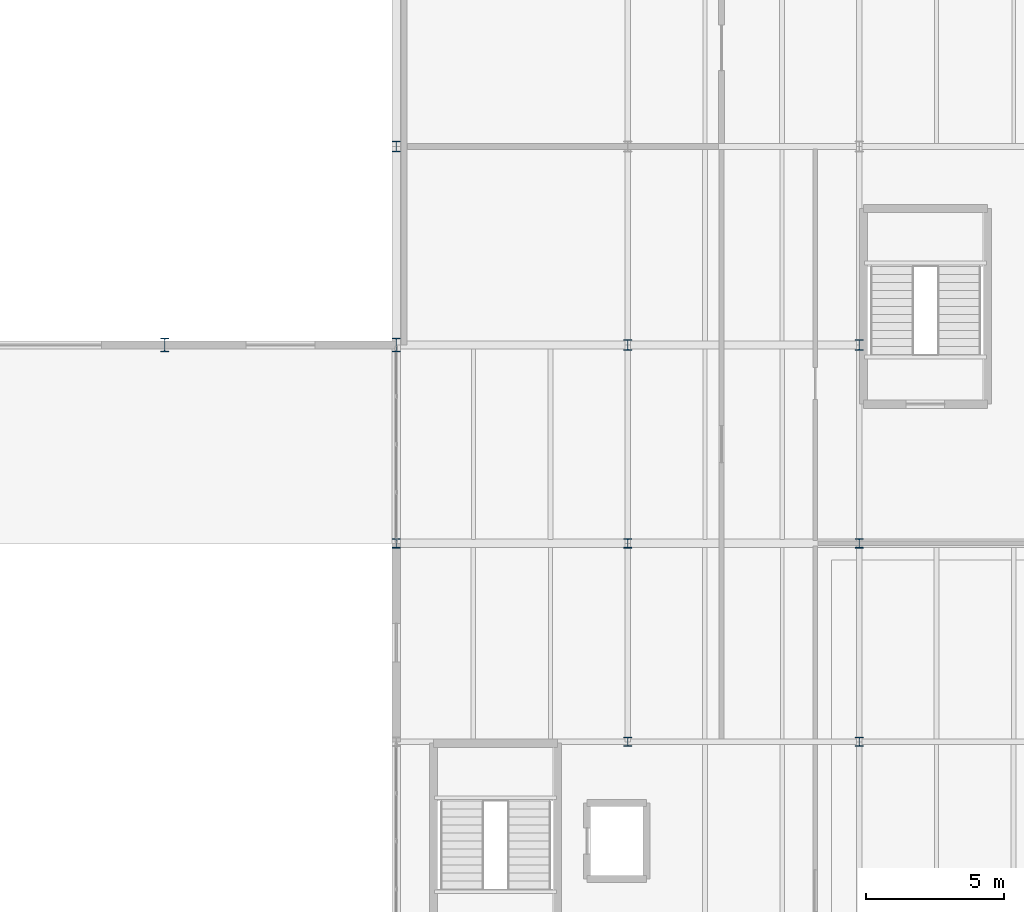
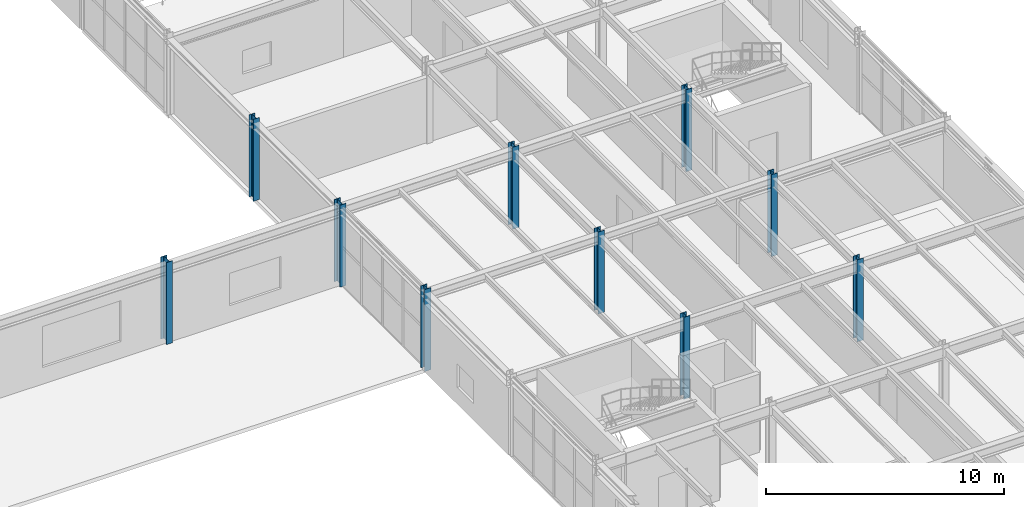
# One storey, part 15 of 73: 10 columns.
"""IFC4 building model written with IfcOpenShell, lengths in metres."""

from ifc_helpers import new_model, si_unit, derived_unit, direction, frame, origin, origin_2d, place, context, subcontext, project, spatial, i_section, extrude, material, material_profile, profile_set, type_object, element, save


model = new_model("IFC4")

# Units and contexts
model_context = context("Model", 3, precision=1e-05, world=origin(), true_north=direction((0.0, 1.0)))
body_context = subcontext(model_context, "Body", "Model", "MODEL_VIEW")
ifc_project = project(units=[si_unit("LENGTHUNIT", "METRE"), si_unit("AREAUNIT", "SQUARE_METRE"), si_unit("VOLUMEUNIT", "CUBIC_METRE"), si_unit("PLANEANGLEUNIT", "RADIAN"), si_unit("MASSUNIT", "GRAM", prefix="KILO"), derived_unit("THERMALTRANSMITTANCEUNIT", [(si_unit("MASSUNIT", "GRAM", prefix="KILO"), 1), (si_unit("TIMEUNIT", "SECOND"), -3), (si_unit("THERMODYNAMICTEMPERATUREUNIT", "KELVIN"), -1)])], contexts=[model_context])

# Site, building, storey
site_placement = place(None, origin())
site = spatial("IfcSite", under=ifc_project, at=site_placement, CompositionType="ELEMENT")
building_placement = place(site_placement, origin())
building = spatial("IfcBuilding", under=site, at=building_placement, Name="Kharveza Railside Sports Centre", CompositionType="ELEMENT")
storey_placement = place(building_placement, frame((0.0, 0.0, 8.699951171875)))
storey = spatial("IfcBuildingStorey", under=building, at=storey_placement, Name="L02", CompositionType="ELEMENT", Elevation=8.699951171875)

# Columns
ifc_material = material(Name="Steel S355J2", Category="steel")
ifc_material_profile_1 = material_profile(ifc_material, i_section(OverallWidth=0.300048828125, OverallDepth=0.5, WebThickness=0.014404296875, FlangeThickness=0.028076171875, FilletRadius=0.027099609375, at=origin_2d()), Name="HEB 500")
ifc_profile_set_1 = profile_set([ifc_material_profile_1], Name="Steel S355J2")
column_type_1 = type_object("IfcColumnType", Name="COL-S03", PredefinedType="COLUMN", material=ifc_profile_set_1)
for number, where, z_axis, x_axis, name in (
    (1, (134.39990234375, 79.199951171875, 0.0), (0.0, 0.0, 1.0), (1.0, 0.0, 0.0), "COL-G-C03-X1344-Y792-L02"),
    (2, (142.800048828125, 79.199951171875, 0.0), (0.0, 0.0, 1.0), (1.0, 0.0, 0.0), "COL-G-C03-X1428-Y792-L02"),
):
    element("IfcColumn", number, at=place(storey_placement, frame(where, z_axis=z_axis, x_axis=x_axis)), inside=storey, type_object=column_type_1, Name=name, PredefinedType="COLUMN", context=body_context, shape_type="SweptSolid", body=[
        extrude(i_section(OverallWidth=0.300048828125, OverallDepth=0.5, WebThickness=0.014404296875, FlangeThickness=0.028076171875, FilletRadius=0.027099609375, at=origin_2d()), origin(), (0.0, 0.0, 1.0), 4.199951171875),
    ])
ifc_material_profile_2 = material_profile(ifc_material, i_section(OverallWidth=0.300048828125, OverallDepth=0.340087890625, WebThickness=0.011962890625, FlangeThickness=0.021484375, FilletRadius=0.027099609375, at=origin_2d()), Name="HEB 340")
ifc_profile_set_2 = profile_set([ifc_material_profile_2], Name="Steel S355J2")
column_type_2 = type_object("IfcColumnType", Name="COL-S06", PredefinedType="COLUMN", material=ifc_profile_set_2)
for number, where, z_axis, x_axis, name in (
    (3, (142.800048828125, 72.0, 0.0), (0.0, 0.0, 1.0), (1.0, 0.0, 0.0), "COL-G-C06-X1428-Y720-L02"),
    (4, (151.199951171875, 64.800048828125, 0.0), (0.0, 0.0, 1.0), (1.0, 0.0, 0.0), "COL-G-C06-X1512-Y648-L02"),
    (5, (151.199951171875, 72.0, 0.0), (0.0, 0.0, 1.0), (1.0, 0.0, 0.0), "COL-G-C06-X1512-Y720-L02"),
    (6, (159.60009765625, 64.800048828125, 0.0), (0.0, 0.0, 1.0), (1.0, 0.0, 0.0), "COL-G-C06-X1596-Y648-L02"),
    (7, (159.60009765625, 72.0, 0.0), (0.0, 0.0, 1.0), (1.0, 0.0, 0.0), "COL-G-C06-X1596-Y720-L02"),
):
    element("IfcColumn", number, at=place(storey_placement, frame(where, z_axis=z_axis, x_axis=x_axis)), inside=storey, type_object=column_type_2, Name=name, PredefinedType="COLUMN", context=body_context, shape_type="SweptSolid", body=[
        extrude(i_section(OverallWidth=0.300048828125, OverallDepth=0.340087890625, WebThickness=0.011962890625, FlangeThickness=0.021484375, FilletRadius=0.027099609375, at=origin_2d()), origin(), (0.0, 0.0, 1.0), 4.199951171875),
    ])
ifc_material_profile_3 = material_profile(ifc_material, i_section(OverallWidth=0.300048828125, OverallDepth=0.389892578125, WebThickness=0.010986328125, FlangeThickness=0.01904296875, FilletRadius=0.027099609375, at=origin_2d()), Name="HEA 400")
ifc_profile_set_3 = profile_set([ifc_material_profile_3], Name="Steel S355J2")
column_type_3 = type_object("IfcColumnType", Name="COL-S10", PredefinedType="COLUMN", material=ifc_profile_set_3)
for number, where, z_axis, x_axis, name in (
    (8, (142.800048828125, 86.39990234375, 0.0), (0.0, 0.0, 1.0), (1.0, 0.0, 0.0), "COL-G-C10-X1428-Y864-L02"),
    (9, (151.199951171875, 79.199951171875, 0.0), (0.0, 0.0, 1.0), (1.0, 0.0, 0.0), "COL-G-C10-X1512-Y792-L02"),
    (10, (159.60009765625, 79.199951171875, 0.0), (0.0, 0.0, 1.0), (1.0, 0.0, 0.0), "COL-G-C10-X1596-Y792-L02"),
):
    element("IfcColumn", number, at=place(storey_placement, frame(where, z_axis=z_axis, x_axis=x_axis)), inside=storey, type_object=column_type_3, Name=name, PredefinedType="COLUMN", context=body_context, shape_type="SweptSolid", body=[
        extrude(i_section(OverallWidth=0.300048828125, OverallDepth=0.389892578125, WebThickness=0.010986328125, FlangeThickness=0.01904296875, FilletRadius=0.027099609375, at=origin_2d()), origin(), (0.0, 0.0, 1.0), 4.199951171875),
    ])

save(model, "model.ifc")
